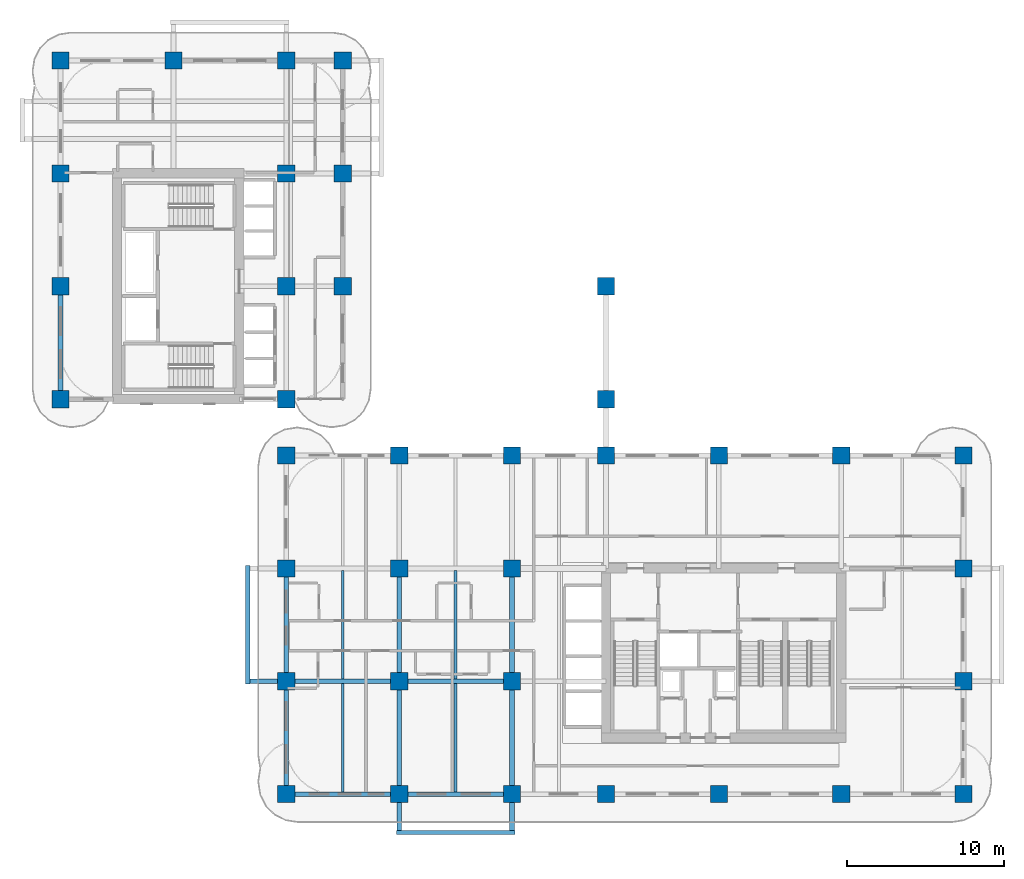
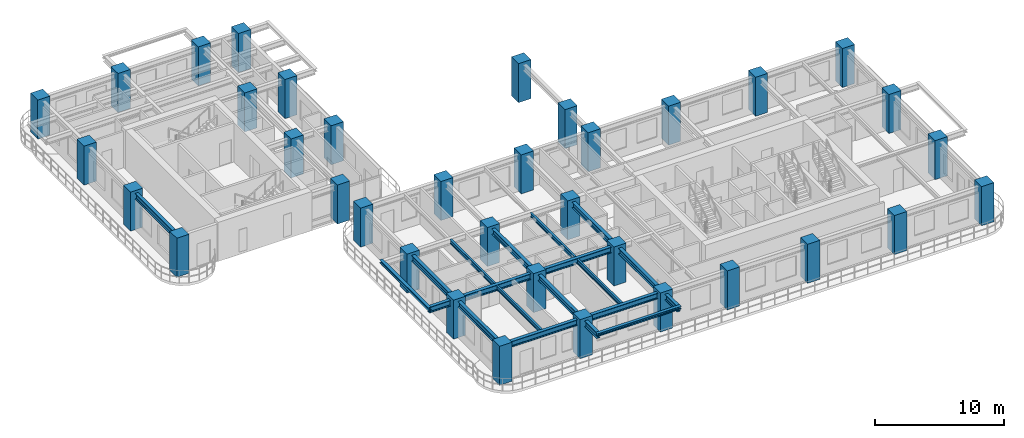
# One storey, part 1 of 18: 36 columns, 17 beams.
"""IFC4 building model written with IfcOpenShell, lengths in metres."""

from ifc_helpers import new_model, si_unit, derived_unit, direction, frame, origin, origin_2d, place, context, subcontext, project, spatial, rectangle, i_section, extrude, source, transform, mapped, material, material_profile, profile_set, type_object, type_shapes, element, save


model = new_model("IFC4")

# Units and contexts
model_context = context("Model", 3, precision=1e-05, world=origin(), true_north=direction((0.0, 1.0)))
body_context = subcontext(model_context, "Body", "Model", "MODEL_VIEW")
ifc_project = project(units=[si_unit("LENGTHUNIT", "METRE"), si_unit("AREAUNIT", "SQUARE_METRE"), si_unit("VOLUMEUNIT", "CUBIC_METRE"), si_unit("PLANEANGLEUNIT", "RADIAN"), si_unit("MASSUNIT", "GRAM", prefix="KILO"), si_unit("THERMODYNAMICTEMPERATUREUNIT", "KELVIN"), si_unit("POWERUNIT", "WATT"), derived_unit("THERMALTRANSMITTANCEUNIT", [(si_unit("POWERUNIT", "WATT"), 1), (si_unit("AREAUNIT", "SQUARE_METRE"), -1), (si_unit("THERMODYNAMICTEMPERATUREUNIT", "KELVIN"), -1)])], contexts=[model_context])

# Site, building, storey
site_placement = place(None, origin())
site = spatial("IfcSite", under=ifc_project, at=site_placement, CompositionType="ELEMENT")
building_placement = place(site_placement, origin())
building = spatial("IfcBuilding", under=site, at=building_placement, Name="Zahravan Archway Hotel and Residences", CompositionType="ELEMENT")
storey_placement = place(building_placement, frame((0.0, 0.0, 36.10009765625)))
storey = spatial("IfcBuildingStorey", under=building, at=storey_placement, Name="L07", CompositionType="ELEMENT", Elevation=36.10009765625)

# Columns
ifc_material_1 = material(Name="Concrete C70/85", Category="concrete")
ifc_material_profile_1 = material_profile(ifc_material_1, rectangle(XDim=1.10009765625, YDim=1.10009765625, at=origin_2d()), Name="RC 1100x1100", Category="concrete")
ifc_profile_set_1 = profile_set([ifc_material_profile_1], Name="Concrete C70/85")
column_type = type_object("IfcColumnType", Name="COL-RC-1100", PredefinedType="COLUMN", material=ifc_profile_set_1)
shared_shape_1 = source(origin(), body_context, "Body", "SweptSolid", [
    extrude(rectangle(XDim=1.10009765625, YDim=1.10009765625, at=origin_2d()), origin(), (0.0, 0.0, 1.0), 3.699951171875),
])
for number, where, z_axis, x_axis, name in (
    (1, (0.0, 25.199951171875, 0.0), (0.0, 0.0, 1.0), (1.0, 0.0, 0.0), "L07 Column 1-E"),
    (2, (0.0, 32.39990234375, 0.0), (0.0, 0.0, 1.0), (1.0, 0.0, 0.0), "L07 Column 1-F"),
    (3, (0.0, 39.60009765625, 0.0), (0.0, 0.0, 1.0), (1.0, 0.0, 0.0), "L07 Column 1-G"),
    (4, (0.0, 46.800048828125, 0.0), (0.0, 0.0, 1.0), (1.0, 0.0, 0.0), "L07 Column 1-H"),
    (5, (7.199951171875, 46.800048828125, 0.0), (0.0, 0.0, 1.0), (1.0, 0.0, 0.0), "L07 Column 2-H"),
    (6, (14.39990234375, 0.0, 0.0), (0.0, 0.0, 1.0), (1.0, 0.0, 0.0), "L07 Column 3-A"),
    (7, (14.39990234375, 7.199951171875, 0.0), (0.0, 0.0, 1.0), (1.0, 0.0, 0.0), "L07 Column 3-B"),
    (8, (14.39990234375, 14.39990234375, 0.0), (0.0, 0.0, 1.0), (1.0, 0.0, 0.0), "L07 Column 3-C"),
    (9, (14.39990234375, 21.60009765625, 0.0), (0.0, 0.0, 1.0), (1.0, 0.0, 0.0), "L07 Column 3-D"),
    (10, (14.39990234375, 25.199951171875, 0.0), (0.0, 0.0, 1.0), (1.0, 0.0, 0.0), "L07 Column 3-E"),
    (11, (14.39990234375, 32.39990234375, 0.0), (0.0, 0.0, 1.0), (1.0, 0.0, 0.0), "L07 Column 3-F"),
    (12, (14.39990234375, 39.60009765625, 0.0), (0.0, 0.0, 1.0), (1.0, 0.0, 0.0), "L07 Column 3-G"),
    (13, (14.39990234375, 46.800048828125, 0.0), (0.0, 0.0, 1.0), (1.0, 0.0, 0.0), "L07 Column 3-H"),
    (14, (21.60009765625, 0.0, 0.0), (0.0, 0.0, 1.0), (1.0, 0.0, 0.0), "L07 Column 4-A"),
    (15, (21.60009765625, 7.199951171875, 0.0), (0.0, 0.0, 1.0), (1.0, 0.0, 0.0), "L07 Column 4-B"),
    (16, (21.60009765625, 14.39990234375, 0.0), (0.0, 0.0, 1.0), (1.0, 0.0, 0.0), "L07 Column 4-C"),
    (17, (21.60009765625, 21.60009765625, 0.0), (0.0, 0.0, 1.0), (1.0, 0.0, 0.0), "L07 Column 4-D"),
    (18, (28.800048828125, 0.0, 0.0), (0.0, 0.0, 1.0), (1.0, 0.0, 0.0), "L07 Column 5-A"),
    (19, (28.800048828125, 7.199951171875, 0.0), (0.0, 0.0, 1.0), (1.0, 0.0, 0.0), "L07 Column 5-B"),
    (20, (28.800048828125, 14.39990234375, 0.0), (0.0, 0.0, 1.0), (1.0, 0.0, 0.0), "L07 Column 5-C"),
    (21, (28.800048828125, 21.60009765625, 0.0), (0.0, 0.0, 1.0), (1.0, 0.0, 0.0), "L07 Column 5-D"),
    (22, (34.800048828125, 0.0, 0.0), (0.0, 0.0, 1.0), (1.0, 0.0, 0.0), "L07 Column 6-A"),
    (23, (34.800048828125, 21.60009765625, 0.0), (0.0, 0.0, 1.0), (1.0, 0.0, 0.0), "L07 Column 6-D"),
    (24, (42.0, 0.0, 0.0), (0.0, 0.0, 1.0), (1.0, 0.0, 0.0), "L07 Column 7-A"),
    (25, (42.0, 21.60009765625, 0.0), (0.0, 0.0, 1.0), (1.0, 0.0, 0.0), "L07 Column 7-D"),
    (26, (49.800048828125, 0.0, 0.0), (0.0, 0.0, 1.0), (1.0, 0.0, 0.0), "L07 Column 8-A"),
    (27, (49.800048828125, 21.60009765625, 0.0), (0.0, 0.0, 1.0), (1.0, 0.0, 0.0), "L07 Column 8-D"),
    (28, (57.60009765625, 0.0, 0.0), (0.0, 0.0, 1.0), (1.0, 0.0, 0.0), "L07 Column 9-A"),
    (29, (57.60009765625, 7.199951171875, 0.0), (0.0, 0.0, 1.0), (1.0, 0.0, 0.0), "L07 Column 9-B"),
    (30, (57.60009765625, 14.39990234375, 0.0), (0.0, 0.0, 1.0), (1.0, 0.0, 0.0), "L07 Column 9-C"),
    (31, (57.60009765625, 21.60009765625, 0.0), (0.0, 0.0, 1.0), (1.0, 0.0, 0.0), "L07 Column 9-D"),
    (32, (18.0, 32.39990234375, 0.0), (0.0, 0.0, 1.0), (1.0, 0.0, 0.0), "L07 Column 3B-F"),
    (33, (18.0, 39.60009765625, 0.0), (0.0, 0.0, 1.0), (1.0, 0.0, 0.0), "L07 Column 3B-G"),
    (34, (18.0, 46.800048828125, 0.0), (0.0, 0.0, 1.0), (1.0, 0.0, 0.0), "L07 Column 3B-H"),
    (35, (34.800048828125, 25.199951171875, 0.0), (0.0, 0.0, 1.0), (1.0, 0.0, 0.0), "L07 Column 6-E"),
    (36, (34.800048828125, 32.39990234375, 0.0), (0.0, 0.0, 1.0), (1.0, 0.0, 0.0), "L07 Column 6-F"),
):
    element("IfcColumn", number, at=place(storey_placement, frame(where, z_axis=z_axis, x_axis=x_axis)), inside=storey, type_object=column_type, Name=name, PredefinedType="COLUMN", context=body_context, shape_type="MappedRepresentation", body=[
        mapped(shared_shape_1, transform((0.0, 0.0, 0.0), scale=1.0)),
    ])

# Beams
ifc_material_2 = material(Name="Structural Steel S355JR", Category="steel")
ifc_material_profile_2 = material_profile(ifc_material_2, i_section(OverallWidth=0.280029296875, OverallDepth=0.280029296875, WebThickness=0.010498046875, FlangeThickness=0.01806640625, FilletRadius=0.02392578125, at=origin_2d()), Name="HEB 280", Category="steel")
ifc_profile_set_2 = profile_set([ifc_material_profile_2], Name="Structural Steel S355JR")
beam_type_1 = type_object("IfcBeamType", Name="BM-SPN-HEB280", PredefinedType="SPANDREL", material=ifc_profile_set_2)
shared_shape_2 = source(origin(), body_context, "Body", "SweptSolid", [
    extrude(i_section(OverallWidth=0.280029296875, OverallDepth=0.280029296875, WebThickness=0.010498046875, FlangeThickness=0.01806640625, FilletRadius=0.02392578125, at=origin_2d()), origin(), (0.0, 0.0, 1.0), 7.56005859375),
])
type_shapes(beam_type_1, [shared_shape_2])
for number, where, z_axis, x_axis, name in (
    (37, (11.949951171875, 7.02001953125, 3.309814453125), (0.0, 1.0, 0.0), (-1.0, 0.0, 0.0), "L08 WA Balcony Edge Spandrel"),
    (38, (21.419921875, -2.449951171875, 3.309814453125), (1.0, 0.0, 0.0), (0.0, 1.0, 0.0), "L08 SA Balcony Edge Spandrel"),
):
    element("IfcBeam", number, at=place(storey_placement, frame(where, z_axis=z_axis, x_axis=x_axis)), inside=storey, type_object=beam_type_1, Name=name, PredefinedType="SPANDREL", context=body_context, shape_type="MappedRepresentation", body=[
        mapped(shared_shape_2, transform((0.0, 0.0, 0.0), scale=1.0)),
    ])
ifc_material_profile_3 = material_profile(ifc_material_2, i_section(OverallWidth=0.300048828125, OverallDepth=0.550048828125, WebThickness=0.014892578125, FlangeThickness=0.029052734375, FilletRadius=0.027099609375, at=origin_2d()), Name="HEB 550", Category="steel")
ifc_profile_set_3 = profile_set([ifc_material_profile_3], Name="Structural Steel S355JR")
beam_type_2 = type_object("IfcBeamType", Name="BM-PRI-HEB550", PredefinedType="BEAM", material=ifc_profile_set_3)
shared_shape_3 = source(origin(), body_context, "Body", "SweptSolid", [
    extrude(i_section(OverallWidth=0.300048828125, OverallDepth=0.550048828125, WebThickness=0.014892578125, FlangeThickness=0.029052734375, FilletRadius=0.027099609375, at=origin_2d()), origin(), (0.0, 0.0, 1.0), 7.2001953125),
])
type_shapes(beam_type_2, [shared_shape_3])
beam_1_placement = place(storey_placement, frame((14.39990234375, 0.0, 3.1748046875), z_axis=(1.0, 0.0, 0.0), x_axis=(0.0, 1.0, 0.0)))
element("IfcBeam", 39, at=beam_1_placement, inside=storey, type_object=beam_type_2, Name="L07 Primary Girder EW-01", PredefinedType="BEAM", context=body_context, shape_type="MappedRepresentation", body=[
    mapped(shared_shape_3, transform((0.0, 0.0, 0.0), scale=1.0)),
])
shared_shape_4 = source(origin(), body_context, "Body", "SweptSolid", [
    extrude(i_section(OverallWidth=0.300048828125, OverallDepth=0.550048828125, WebThickness=0.014892578125, FlangeThickness=0.029052734375, FilletRadius=0.027099609375, at=origin_2d()), origin(), (0.0, 0.0, 1.0), 7.199951171875),
])
for number, where, z_axis, x_axis, name in (
    (40, (21.60009765625, 0.0, 3.1748046875), (1.0, 0.0, 0.0), (0.0, 1.0, 0.0), "L07 Primary Girder EW-02"),
    (41, (21.60009765625, 7.199951171875, 3.1748046875), (1.0, 0.0, 0.0), (0.0, 1.0, 0.0), "L07 Primary Girder EW-08"),
    (42, (0.0, 25.199951171875, 3.1748046875), (0.0, 1.0, 0.0), (-1.0, 0.0, 0.0), "L07 Primary Girder NS-27"),
    (43, (14.39990234375, 0.0, 3.1748046875), (0.0, 1.0, 0.0), (-1.0, 0.0, 0.0), "L07 Primary Girder NS-31"),
    (44, (14.39990234375, 7.199951171875, 3.1748046875), (0.0, 1.0, 0.0), (-1.0, 0.0, 0.0), "L07 Primary Girder NS-32"),
    (45, (21.60009765625, 7.199951171875, 3.1748046875), (0.0, 1.0, 0.0), (-1.0, 0.0, 0.0), "L07 Primary Girder NS-38"),
    (46, (28.800048828125, 7.199951171875, 3.1748046875), (0.0, 1.0, 0.0), (-1.0, 0.0, 0.0), "L07 Primary Girder NS-41"),
):
    element("IfcBeam", number, at=place(storey_placement, frame(where, z_axis=z_axis, x_axis=x_axis)), inside=storey, type_object=beam_type_2, Name=name, PredefinedType="BEAM", context=body_context, shape_type="MappedRepresentation", body=[
        mapped(shared_shape_4, transform((0.0, 0.0, 0.0), scale=1.0)),
    ])
ifc_material_profile_4 = material_profile(ifc_material_2, i_section(OverallWidth=0.179931640625, OverallDepth=0.39990234375, WebThickness=0.008544921875, FlangeThickness=0.013427734375, FilletRadius=0.02099609375, at=origin_2d()), Name="IPE 400", Category="steel")
ifc_profile_set_4 = profile_set([ifc_material_profile_4], Name="Structural Steel S355JR")
beam_type_3 = type_object("IfcBeamType", Name="BM-JST-IPE400", PredefinedType="JOIST", material=ifc_profile_set_4)
shared_shape_5 = source(origin(), body_context, "Body", "SweptSolid", [
    extrude(i_section(OverallWidth=0.179931640625, OverallDepth=0.39990234375, WebThickness=0.008544921875, FlangeThickness=0.013427734375, FilletRadius=0.02099609375, at=origin_2d()), origin(), (0.0, 0.0, 1.0), 6.904052734375),
])
type_shapes(beam_type_3, [shared_shape_5])
for number, where, z_axis, x_axis, name in (
    (47, (18.0, 0.14794921875, 3.25), (0.0, 1.0, 0.0), (-1.0, 0.0, 0.0), "L07 Composite Floor Joist 01"),
    (48, (25.199951171875, 0.14794921875, 3.25), (0.0, 1.0, 0.0), (-1.0, 0.0, 0.0), "L07 Composite Floor Joist 02"),
    (49, (18.0, 7.347900390625, 3.25), (0.0, 1.0, 0.0), (-1.0, 0.0, 0.0), "L07 Composite Floor Joist 05"),
    (50, (25.199951171875, 7.347900390625, 3.25), (0.0, 1.0, 0.0), (-1.0, 0.0, 0.0), "L07 Composite Floor Joist 06"),
):
    element("IfcBeam", number, at=place(storey_placement, frame(where, z_axis=z_axis, x_axis=x_axis)), inside=storey, type_object=beam_type_3, Name=name, PredefinedType="JOIST", context=body_context, shape_type="MappedRepresentation", body=[
        mapped(shared_shape_5, transform((0.0, 0.0, 0.0), scale=1.0)),
    ])
shared_shape_6 = source(origin(), body_context, "Body", "SweptSolid", [
    extrude(i_section(OverallWidth=0.300048828125, OverallDepth=0.550048828125, WebThickness=0.014892578125, FlangeThickness=0.029052734375, FilletRadius=0.027099609375, at=origin_2d()), origin(), (0.0, 0.0, 1.0), 9.650146484375),
])
beam_2_placement = place(storey_placement, frame((11.949951171875, 7.199951171875, 3.1748046875), z_axis=(1.0, 0.0, 0.0), x_axis=(0.0, 1.0, 0.0)))
element("IfcBeam", 51, at=beam_2_placement, inside=storey, type_object=beam_type_2, Name="L07 Primary Girder EW-07", PredefinedType="BEAM", context=body_context, shape_type="MappedRepresentation", body=[
    mapped(shared_shape_6, transform((0.0, 0.0, 0.0), scale=1.0)),
])
shared_shape_7 = source(origin(), body_context, "Body", "SweptSolid", [
    extrude(i_section(OverallWidth=0.300048828125, OverallDepth=0.550048828125, WebThickness=0.014892578125, FlangeThickness=0.029052734375, FilletRadius=0.027099609375, at=origin_2d()), origin(), (0.0, 0.0, 1.0), 9.64990234375),
])
for number, where, z_axis, x_axis, name in (
    (52, (21.60009765625, -2.449951171875, 3.1748046875), (0.0, 1.0, 0.0), (-1.0, 0.0, 0.0), "L07 Primary Girder NS-37"),
    (53, (28.800048828125, -2.449951171875, 3.1748046875), (0.0, 1.0, 0.0), (-1.0, 0.0, 0.0), "L07 Primary Girder NS-40"),
):
    element("IfcBeam", number, at=place(storey_placement, frame(where, z_axis=z_axis, x_axis=x_axis)), inside=storey, type_object=beam_type_2, Name=name, PredefinedType="BEAM", context=body_context, shape_type="MappedRepresentation", body=[
        mapped(shared_shape_7, transform((0.0, 0.0, 0.0), scale=1.0)),
    ])

save(model, "model.ifc")
